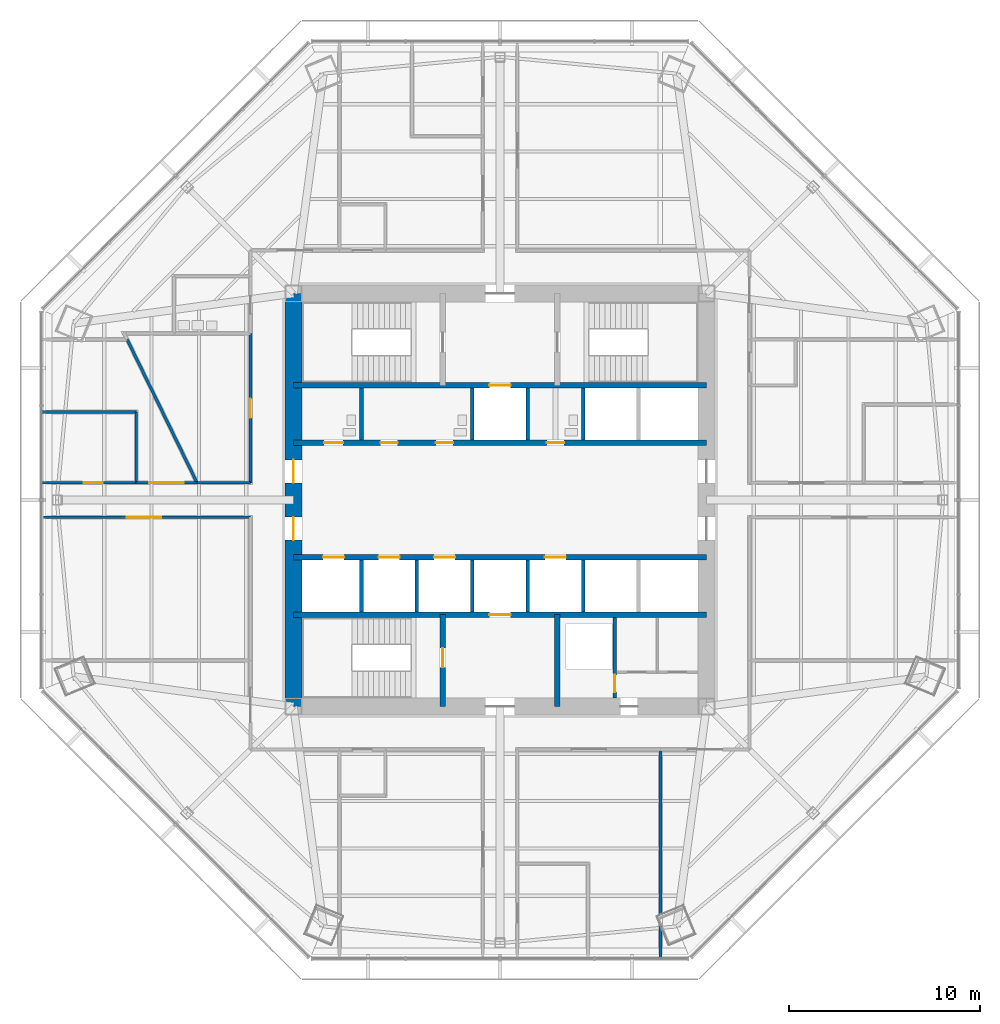
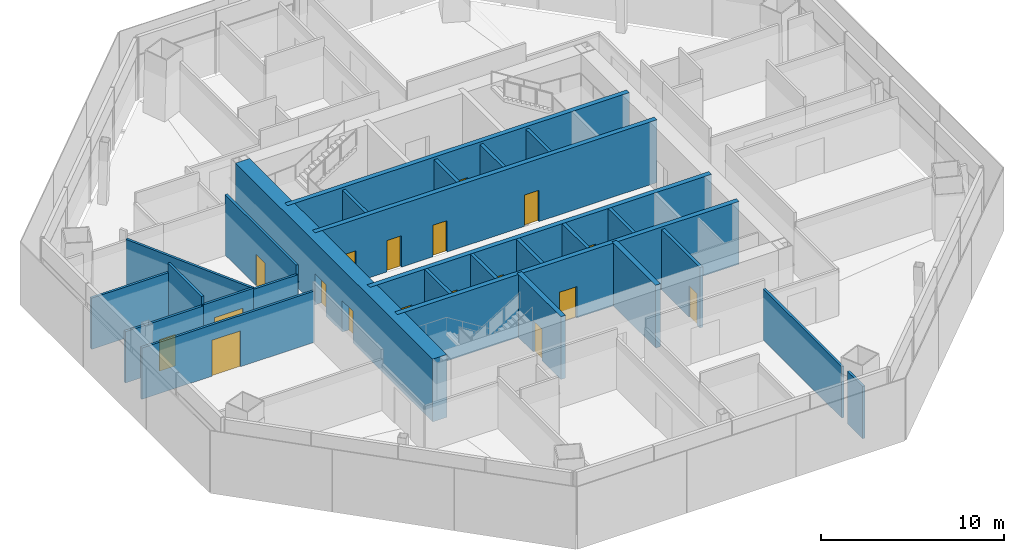
# One storey, part 9 of 14: 27 walls, 18 doors, 18 openings.
"""IFC4 building model written with IfcOpenShell, lengths in metres."""

from ifc_helpers import new_model, si_unit, direction, frame, frame_2d, origin, place, context, subcontext, project, spatial, rectangle, extrude, material, layer, layer_set, type_object, element, fill, save


model = new_model("IFC4")

# Units and contexts
model_context = context("Model", 3, precision=1e-05, world=origin(), true_north=direction((0.0, 1.0)))
body_context = subcontext(model_context, "Body", "Model", "MODEL_VIEW")
ifc_project = project(units=[si_unit("LENGTHUNIT", "METRE"), si_unit("AREAUNIT", "SQUARE_METRE"), si_unit("VOLUMEUNIT", "CUBIC_METRE"), si_unit("PLANEANGLEUNIT", "RADIAN"), si_unit("MASSUNIT", "GRAM", prefix="KILO")], contexts=[model_context])

# Site, building, storey
site_placement = place(None, origin())
site = spatial("IfcSite", under=ifc_project, at=site_placement, CompositionType="ELEMENT")
building_placement = place(site_placement, origin())
building = spatial("IfcBuilding", under=site, at=building_placement, Name="Mashrafa Tower", CompositionType="ELEMENT")
storey_placement = place(building_placement, frame((0.0, 0.0, 142.800048828125)))
storey = spatial("IfcBuildingStorey", under=building, at=storey_placement, Name="L32", CompositionType="ELEMENT", Elevation=142.800048828125)

# Wall, opening, door
ifc_material_1 = material(Name="Concrete masonry unit", Category="masonry")
ifc_layer_1 = layer(ifc_material_1, 0.199951171875)
ifc_layer_set_1 = layer_set([ifc_layer_1], Name="Blockwork wall 200 2 hr")
wall_type_1 = type_object("IfcWallType", Name="Blockwork wall 200 2 hr", PredefinedType="PARTITIONING", material=ifc_layer_set_1)
wall_1_placement = place(storey_placement, frame((6.0, -10.35009765625, 0.0), z_axis=(0.0, 0.0, 1.0), x_axis=(0.0, 1.0, 0.0)))
wall_1 = element("IfcWall", 1, at=wall_1_placement, inside=storey, type_object=wall_type_1, Name="Riser enclosure wall L32", PredefinedType="PARTITIONING", context=body_context, shape_type="SweptSolid", body=[
    extrude(rectangle(XDim=4.2001953125, YDim=0.199951171875, at=frame_2d((2.10009765625, 0.0))), origin(), (0.0, 0.0, 1.0), 4.034912109375),
])
opening_1_placement = place(wall_1_placement, frame((0.300048828125, 0.0, 0.0)))
opening_1 = element("IfcOpeningElement", 2, at=opening_1_placement, cuts=wall_1, Name="Opening 32.032", PredefinedType="OPENING", context=body_context, shape_type="SweptSolid", body=[
    extrude(rectangle(XDim=0.89990234375, YDim=2.10009765625, at=frame_2d((0.449951171875, 1.050048828125))), frame((0.0, 0.10986328125, 0.0), z_axis=(0.0, -1.0, 0.0), x_axis=(1.0, 0.0, 0.0)), (0.0, 0.0, 1.0), 0.219970703125),
])
ifc_material_2 = material(Name="Steel door", Category="steel")
door_type_1 = type_object("IfcDoorType", Name="Service door 900 x 2100 90 min", OperationType="USERDEFINED", PredefinedType="DOOR", material=ifc_material_2)
door_1_placement = place(opening_1_placement, origin())
door_1 = element("IfcDoor", 3, at=door_1_placement, inside=storey, type_object=door_type_1, Name="Riser door L32", OperationType="SINGLE_SWING_LEFT", OverallHeight=2.10009765625, OverallWidth=0.89990234375, PredefinedType="DOOR", context=body_context, shape_type="SweptSolid", body=[
    extrude(rectangle(XDim=0.89990234375, YDim=2.10009765625, at=frame_2d((0.449951171875, 1.050048828125))), frame((0.0, 0.02490234375, 0.0), z_axis=(0.0, -1.0, 0.0), x_axis=(1.0, 0.0, 0.0)), (0.0, 0.0, 1.0), 0.050048828125),
])
fill(opening_1, door_1)

# Wall, openings, doors
ifc_material_3 = material(Name="Concrete C60/75", Category="concrete")
ifc_layer_2 = layer(ifc_material_3, 0.300048828125)
ifc_layer_set_2 = layer_set([ifc_layer_2], Name="Core wall 300 C60/75")
wall_type_2 = type_object("IfcWallType", Name="Core wall 300 C60/75", PredefinedType="SOLIDWALL", material=ifc_layer_set_2)
wall_2_placement = place(storey_placement, frame((-10.800048828125, 3.0, 0.0), z_axis=(0.0, 0.0, 1.0), x_axis=(1.0, 0.0, 0.0)))
wall_2 = element("IfcWall", 4, at=wall_2_placement, inside=storey, type_object=wall_type_2, Name="Core wall CH-N L32", PredefinedType="SOLIDWALL", context=body_context, shape_type="SweptSolid", body=[
    extrude(rectangle(XDim=21.60009765625, YDim=0.300048828125, at=frame_2d((10.800048828125, 0.0))), origin(), (0.0, 0.0, 1.0), 4.199951171875),
])
opening_2_placement = place(wall_2_placement, frame((1.60009765625, 0.0, 0.0)))
opening_2 = element("IfcOpeningElement", 5, at=opening_2_placement, cuts=wall_2, Name="Opening 32.035", PredefinedType="OPENING", context=body_context, shape_type="SweptSolid", body=[
    extrude(rectangle(XDim=1.0, YDim=2.10009765625, at=frame_2d((0.5, 1.050048828125))), frame((0.0, 0.159912109375, 0.0), z_axis=(0.0, -1.0, 0.0), x_axis=(1.0, 0.0, 0.0)), (0.0, 0.0, 1.0), 0.320068359375),
])
opening_3_placement = place(wall_2_placement, frame((4.550048828125, 0.0, 0.0)))
opening_3 = element("IfcOpeningElement", 6, at=opening_3_placement, cuts=wall_2, Name="Opening 32.036", PredefinedType="OPENING", context=body_context, shape_type="SweptSolid", body=[
    extrude(rectangle(XDim=0.89990234375, YDim=2.10009765625, at=frame_2d((0.449951171875, 1.050048828125))), frame((0.0, 0.159912109375, 0.0), z_axis=(0.0, -1.0, 0.0), x_axis=(1.0, 0.0, 0.0)), (0.0, 0.0, 1.0), 0.320068359375),
])
opening_4_placement = place(wall_2_placement, frame((7.449951171875, 0.0, 0.0)))
opening_4 = element("IfcOpeningElement", 7, at=opening_4_placement, cuts=wall_2, Name="Opening 32.037", PredefinedType="OPENING", context=body_context, shape_type="SweptSolid", body=[
    extrude(rectangle(XDim=0.89990234375, YDim=2.10009765625, at=frame_2d((0.449951171875, 1.050048828125))), frame((0.0, 0.159912109375, 0.0), z_axis=(0.0, -1.0, 0.0), x_axis=(1.0, 0.0, 0.0)), (0.0, 0.0, 1.0), 0.320068359375),
])
opening_5_placement = place(wall_2_placement, frame((13.25, 0.0, 0.0)))
opening_5 = element("IfcOpeningElement", 8, at=opening_5_placement, cuts=wall_2, Name="Opening 32.038", PredefinedType="OPENING", context=body_context, shape_type="SweptSolid", body=[
    extrude(rectangle(XDim=0.89990234375, YDim=2.10009765625, at=frame_2d((0.449951171875, 1.050048828125))), frame((0.0, 0.159912109375, 0.0), z_axis=(0.0, -1.0, 0.0), x_axis=(1.0, 0.0, 0.0)), (0.0, 0.0, 1.0), 0.320068359375),
])
ifc_material_4 = material(Name="Timber door", Category="wood")
door_type_2 = type_object("IfcDoorType", Name="Accessible toilet door 1000 x 2100", OperationType="USERDEFINED", PredefinedType="DOOR", material=ifc_material_4)
door_2_placement = place(opening_2_placement, origin())
door_2 = element("IfcDoor", 9, at=door_2_placement, inside=storey, type_object=door_type_2, Name="Accessible WC L32 door", OperationType="SINGLE_SWING_RIGHT", OverallHeight=2.10009765625, OverallWidth=1.0, PredefinedType="DOOR", context=body_context, shape_type="SweptSolid", body=[
    extrude(rectangle(XDim=1.0, YDim=2.10009765625, at=frame_2d((0.5, 1.050048828125))), frame((0.0, 0.02490234375, 0.0), z_axis=(0.0, -1.0, 0.0), x_axis=(1.0, 0.0, 0.0)), (0.0, 0.0, 1.0), 0.050048828125),
])
fill(opening_2, door_2)
ifc_material_5 = material(Name="Timber door", Category="wood")
door_type_3 = type_object("IfcDoorType", Name="Toilet door 900 x 2100", OperationType="USERDEFINED", PredefinedType="DOOR", material=ifc_material_5)
door_3_placement = place(opening_3_placement, origin())
door_3 = element("IfcDoor", 10, at=door_3_placement, inside=storey, type_object=door_type_3, Name="WC Male L32 door", OperationType="SINGLE_SWING_LEFT", OverallHeight=2.10009765625, OverallWidth=0.89990234375, PredefinedType="DOOR", context=body_context, shape_type="SweptSolid", body=[
    extrude(rectangle(XDim=0.89990234375, YDim=2.10009765625, at=frame_2d((0.449951171875, 1.050048828125))), frame((0.0, 0.02490234375, 0.0), z_axis=(0.0, -1.0, 0.0), x_axis=(1.0, 0.0, 0.0)), (0.0, 0.0, 1.0), 0.050048828125),
])
fill(opening_3, door_3)
door_4_placement = place(opening_4_placement, origin())
door_4 = element("IfcDoor", 11, at=door_4_placement, inside=storey, type_object=door_type_3, Name="WC Male L32 door", OperationType="SINGLE_SWING_RIGHT", OverallHeight=2.10009765625, OverallWidth=0.89990234375, PredefinedType="DOOR", context=body_context, shape_type="SweptSolid", body=[
    extrude(rectangle(XDim=0.89990234375, YDim=2.10009765625, at=frame_2d((0.449951171875, 1.050048828125))), frame((0.0, 0.02490234375, 0.0), z_axis=(0.0, -1.0, 0.0), x_axis=(1.0, 0.0, 0.0)), (0.0, 0.0, 1.0), 0.050048828125),
])
fill(opening_4, door_4)
door_5_placement = place(opening_5_placement, origin())
door_5 = element("IfcDoor", 12, at=door_5_placement, inside=storey, type_object=door_type_3, Name="WC Female L32 door", OperationType="SINGLE_SWING_LEFT", OverallHeight=2.10009765625, OverallWidth=0.89990234375, PredefinedType="DOOR", context=body_context, shape_type="SweptSolid", body=[
    extrude(rectangle(XDim=0.89990234375, YDim=2.10009765625, at=frame_2d((0.449951171875, 1.050048828125))), frame((0.0, 0.02490234375, 0.0), z_axis=(0.0, -1.0, 0.0), x_axis=(1.0, 0.0, 0.0)), (0.0, 0.0, 1.0), 0.050048828125),
])
fill(opening_5, door_5)

# Wall, opening, door
wall_3_placement = place(storey_placement, frame((-10.800048828125, 6.0, 0.0), z_axis=(0.0, 0.0, 1.0), x_axis=(1.0, 0.0, 0.0)))
wall_3 = element("IfcWall", 13, at=wall_3_placement, inside=storey, type_object=wall_type_2, Name="Core wall CB-N L32", PredefinedType="SOLIDWALL", context=body_context, shape_type="SweptSolid", body=[
    extrude(rectangle(XDim=21.60009765625, YDim=0.300048828125, at=frame_2d((10.800048828125, 0.0))), origin(), (0.0, 0.0, 1.0), 4.199951171875),
])
opening_6_placement = place(wall_3_placement, frame((10.25, 0.0, 0.0)))
opening_6 = element("IfcOpeningElement", 14, at=opening_6_placement, cuts=wall_3, Name="Opening 32.F1", PredefinedType="OPENING", context=body_context, shape_type="SweptSolid", body=[
    extrude(rectangle(XDim=1.10009765625, YDim=2.10009765625, at=frame_2d((0.550048828125, 1.050048828125))), frame((0.0, 0.159912109375, 0.0), z_axis=(0.0, -1.0, 0.0), x_axis=(1.0, 0.0, 0.0)), (0.0, 0.0, 1.0), 0.320068359375),
])
ifc_material_6 = material(Name="Steel door", Category="steel")
door_type_4 = type_object("IfcDoorType", Name="Lift landing door 1100 x 2100 90 min", OperationType="DOUBLE_DOOR_SLIDING", PredefinedType="DOOR", material=ifc_material_6)
door_6_placement = place(opening_6_placement, origin())
door_6 = element("IfcDoor", 15, at=door_6_placement, inside=storey, type_object=door_type_4, Name="Lift landing door F1 L32", OperationType="DOUBLE_DOOR_SLIDING", OverallHeight=2.10009765625, OverallWidth=1.10009765625, PredefinedType="DOOR", context=body_context, shape_type="SweptSolid", body=[
    extrude(rectangle(XDim=1.10009765625, YDim=2.10009765625, at=frame_2d((0.550048828125, 1.050048828125))), frame((0.0, 0.02490234375, 0.0), z_axis=(0.0, -1.0, 0.0), x_axis=(1.0, 0.0, 0.0)), (0.0, 0.0, 1.0), 0.050048828125),
])
fill(opening_6, door_6)

# Wall, openings, doors
wall_4_placement = place(storey_placement, frame((-10.800048828125, -3.0, 0.0), z_axis=(0.0, 0.0, 1.0), x_axis=(1.0, 0.0, 0.0)))
wall_4 = element("IfcWall", 16, at=wall_4_placement, inside=storey, type_object=wall_type_2, Name="Core wall CH-S L32", PredefinedType="SOLIDWALL", context=body_context, shape_type="SweptSolid", body=[
    extrude(rectangle(XDim=21.60009765625, YDim=0.300048828125, at=frame_2d((10.800048828125, 0.0))), origin(), (0.0, 0.0, 1.0), 4.199951171875),
])
opening_7_placement = place(wall_4_placement, frame((1.550048828125, 0.0, 0.0)))
opening_7 = element("IfcOpeningElement", 17, at=opening_7_placement, cuts=wall_4, Name="Opening 32.B1", PredefinedType="OPENING", context=body_context, shape_type="SweptSolid", body=[
    extrude(rectangle(XDim=1.10009765625, YDim=2.10009765625, at=frame_2d((0.550048828125, 1.050048828125))), frame((0.0, 0.159912109375, 0.0), z_axis=(0.0, -1.0, 0.0), x_axis=(1.0, 0.0, 0.0)), (0.0, 0.0, 1.0), 0.320068359375),
])
opening_8_placement = place(wall_4_placement, frame((4.449951171875, 0.0, 0.0)))
opening_8 = element("IfcOpeningElement", 18, at=opening_8_placement, cuts=wall_4, Name="Opening 32.B2", PredefinedType="OPENING", context=body_context, shape_type="SweptSolid", body=[
    extrude(rectangle(XDim=1.10009765625, YDim=2.10009765625, at=frame_2d((0.550048828125, 1.050048828125))), frame((0.0, 0.159912109375, 0.0), z_axis=(0.0, -1.0, 0.0), x_axis=(1.0, 0.0, 0.0)), (0.0, 0.0, 1.0), 0.320068359375),
])
opening_9_placement = place(wall_4_placement, frame((7.35009765625, 0.0, 0.0)))
opening_9 = element("IfcOpeningElement", 19, at=opening_9_placement, cuts=wall_4, Name="Opening 32.B3", PredefinedType="OPENING", context=body_context, shape_type="SweptSolid", body=[
    extrude(rectangle(XDim=1.10009765625, YDim=2.10009765625, at=frame_2d((0.550048828125, 1.050048828125))), frame((0.0, 0.159912109375, 0.0), z_axis=(0.0, -1.0, 0.0), x_axis=(1.0, 0.0, 0.0)), (0.0, 0.0, 1.0), 0.320068359375),
])
opening_10_placement = place(wall_4_placement, frame((13.14990234375, 0.0, 0.0)))
opening_10 = element("IfcOpeningElement", 20, at=opening_10_placement, cuts=wall_4, Name="Opening 32.B4", PredefinedType="OPENING", context=body_context, shape_type="SweptSolid", body=[
    extrude(rectangle(XDim=1.10009765625, YDim=2.10009765625, at=frame_2d((0.550048828125, 1.050048828125))), frame((0.0, 0.159912109375, 0.0), z_axis=(0.0, -1.0, 0.0), x_axis=(1.0, 0.0, 0.0)), (0.0, 0.0, 1.0), 0.320068359375),
])
door_7_placement = place(opening_7_placement, origin())
door_7 = element("IfcDoor", 21, at=door_7_placement, inside=storey, type_object=door_type_4, Name="Lift landing door B1 L32", OperationType="DOUBLE_DOOR_SLIDING", OverallHeight=2.10009765625, OverallWidth=1.10009765625, PredefinedType="DOOR", context=body_context, shape_type="SweptSolid", body=[
    extrude(rectangle(XDim=1.10009765625, YDim=2.10009765625, at=frame_2d((0.550048828125, 1.050048828125))), frame((0.0, 0.02490234375, 0.0), z_axis=(0.0, -1.0, 0.0), x_axis=(1.0, 0.0, 0.0)), (0.0, 0.0, 1.0), 0.050048828125),
])
fill(opening_7, door_7)
door_8_placement = place(opening_8_placement, origin())
door_8 = element("IfcDoor", 22, at=door_8_placement, inside=storey, type_object=door_type_4, Name="Lift landing door B2 L32", OperationType="DOUBLE_DOOR_SLIDING", OverallHeight=2.10009765625, OverallWidth=1.10009765625, PredefinedType="DOOR", context=body_context, shape_type="SweptSolid", body=[
    extrude(rectangle(XDim=1.10009765625, YDim=2.10009765625, at=frame_2d((0.550048828125, 1.050048828125))), frame((0.0, 0.02490234375, 0.0), z_axis=(0.0, -1.0, 0.0), x_axis=(1.0, 0.0, 0.0)), (0.0, 0.0, 1.0), 0.050048828125),
])
fill(opening_8, door_8)
door_9_placement = place(opening_9_placement, origin())
door_9 = element("IfcDoor", 23, at=door_9_placement, inside=storey, type_object=door_type_4, Name="Lift landing door B3 L32", OperationType="DOUBLE_DOOR_SLIDING", OverallHeight=2.10009765625, OverallWidth=1.10009765625, PredefinedType="DOOR", context=body_context, shape_type="SweptSolid", body=[
    extrude(rectangle(XDim=1.10009765625, YDim=2.10009765625, at=frame_2d((0.550048828125, 1.050048828125))), frame((0.0, 0.02490234375, 0.0), z_axis=(0.0, -1.0, 0.0), x_axis=(1.0, 0.0, 0.0)), (0.0, 0.0, 1.0), 0.050048828125),
])
fill(opening_9, door_9)
door_10_placement = place(opening_10_placement, origin())
door_10 = element("IfcDoor", 24, at=door_10_placement, inside=storey, type_object=door_type_4, Name="Lift landing door B4 L32", OperationType="DOUBLE_DOOR_SLIDING", OverallHeight=2.10009765625, OverallWidth=1.10009765625, PredefinedType="DOOR", context=body_context, shape_type="SweptSolid", body=[
    extrude(rectangle(XDim=1.10009765625, YDim=2.10009765625, at=frame_2d((0.550048828125, 1.050048828125))), frame((0.0, 0.02490234375, 0.0), z_axis=(0.0, -1.0, 0.0), x_axis=(1.0, 0.0, 0.0)), (0.0, 0.0, 1.0), 0.050048828125),
])
fill(opening_10, door_10)

# Wall, opening, door
wall_5_placement = place(storey_placement, frame((-10.800048828125, -6.0, 0.0), z_axis=(0.0, 0.0, 1.0), x_axis=(1.0, 0.0, 0.0)))
wall_5 = element("IfcWall", 25, at=wall_5_placement, inside=storey, type_object=wall_type_2, Name="Core wall CB-S L32", PredefinedType="SOLIDWALL", context=body_context, shape_type="SweptSolid", body=[
    extrude(rectangle(XDim=21.60009765625, YDim=0.300048828125, at=frame_2d((10.800048828125, 0.0))), origin(), (0.0, 0.0, 1.0), 4.199951171875),
])
opening_11_placement = place(wall_5_placement, frame((10.25, 0.0, 0.0)))
opening_11 = element("IfcOpeningElement", 26, at=opening_11_placement, cuts=wall_5, Name="Opening 32.F2", PredefinedType="OPENING", context=body_context, shape_type="SweptSolid", body=[
    extrude(rectangle(XDim=1.10009765625, YDim=2.10009765625, at=frame_2d((0.550048828125, 1.050048828125))), frame((0.0, 0.159912109375, 0.0), z_axis=(0.0, -1.0, 0.0), x_axis=(1.0, 0.0, 0.0)), (0.0, 0.0, 1.0), 0.320068359375),
])
door_11_placement = place(opening_11_placement, origin())
door_11 = element("IfcDoor", 27, at=door_11_placement, inside=storey, type_object=door_type_4, Name="Lift landing door F2 L32", OperationType="DOUBLE_DOOR_SLIDING", OverallHeight=2.10009765625, OverallWidth=1.10009765625, PredefinedType="DOOR", context=body_context, shape_type="SweptSolid", body=[
    extrude(rectangle(XDim=1.10009765625, YDim=2.10009765625, at=frame_2d((0.550048828125, 1.050048828125))), frame((0.0, 0.02490234375, 0.0), z_axis=(0.0, -1.0, 0.0), x_axis=(1.0, 0.0, 0.0)), (0.0, 0.0, 1.0), 0.050048828125),
])
fill(opening_11, door_11)

wall_6_placement = place(storey_placement, frame((-3.0, -6.0, 0.0), z_axis=(0.0, 0.0, 1.0), x_axis=(0.0, -1.0, 0.0)))
wall_6 = element("IfcWall", 28, at=wall_6_placement, inside=storey, type_object=wall_type_2, Name="Core wall CX-SW L32", PredefinedType="SOLIDWALL", context=body_context, shape_type="SweptSolid", body=[
    extrude(rectangle(XDim=4.800048828125, YDim=0.300048828125, at=frame_2d((2.39990234375, 0.0))), origin(), (0.0, 0.0, 1.0), 4.199951171875),
])
opening_12_placement = place(wall_6_placement, frame((1.75, 0.0, 0.0)))
opening_12 = element("IfcOpeningElement", 29, at=opening_12_placement, cuts=wall_6, Name="Opening 32.030", PredefinedType="OPENING", context=body_context, shape_type="SweptSolid", body=[
    extrude(rectangle(XDim=1.0, YDim=2.10009765625, at=frame_2d((0.5, 1.050048828125))), frame((0.0, 0.159912109375, 0.0), z_axis=(0.0, -1.0, 0.0), x_axis=(1.0, 0.0, 0.0)), (0.0, 0.0, 1.0), 0.320068359375),
])
ifc_material_7 = material(Name="Steel door", Category="steel")
door_type_5 = type_object("IfcDoorType", Name="Stair door 1000 x 2100 90 min", OperationType="USERDEFINED", PredefinedType="DOOR", material=ifc_material_7)
door_12_placement = place(opening_12_placement, frame((1.0, 0.0, 0.0), z_axis=(0.0, 0.0, 1.0), x_axis=(-1.0, 0.0, 0.0)))
door_12 = element("IfcDoor", 30, at=door_12_placement, inside=storey, type_object=door_type_5, Name="Stair S3 door L32", OperationType="SINGLE_SWING_RIGHT", OverallHeight=2.10009765625, OverallWidth=1.0, PredefinedType="DOOR", context=body_context, shape_type="SweptSolid", body=[
    extrude(rectangle(XDim=1.0, YDim=2.10009765625, at=frame_2d((0.5, 1.050048828125))), frame((0.0, 0.02490234375, 0.0), z_axis=(0.0, -1.0, 0.0), x_axis=(1.0, 0.0, 0.0)), (0.0, 0.0, 1.0), 0.050048828125),
])
fill(opening_12, door_12)

# Wall
wall_7_placement = place(storey_placement, frame((3.0, -6.0, 0.0), z_axis=(0.0, 0.0, 1.0), x_axis=(0.0, -1.0, 0.0)))
element("IfcWall", 31, at=wall_7_placement, inside=storey, type_object=wall_type_2, Name="Core wall CX-SE L32", PredefinedType="SOLIDWALL", context=body_context, shape_type="SweptSolid", body=[
    extrude(rectangle(XDim=4.800048828125, YDim=0.300048828125, at=frame_2d((2.39990234375, 0.0))), origin(), (0.0, 0.0, 1.0), 4.199951171875),
])

# Wall, openings, doors
ifc_material_8 = material(Name="Concrete C60/75", Category="concrete")
ifc_layer_3 = layer(ifc_material_8, 0.89990234375)
ifc_layer_set_3 = layer_set([ifc_layer_3], Name="Core wall 900 C60/75")
wall_type_3 = type_object("IfcWallType", Name="Core wall 900 C60/75", PredefinedType="SOLIDWALL", material=ifc_layer_set_3)
wall_8_placement = place(storey_placement, frame((-10.800048828125, 10.800048828125, 0.0), z_axis=(0.0, 0.0, 1.0), x_axis=(0.0, -1.0, 0.0)))
wall_8 = element("IfcWall", 32, at=wall_8_placement, inside=storey, type_object=wall_type_3, Name="Core wall CW-W L32", PredefinedType="SOLIDWALL", context=body_context, shape_type="SweptSolid", body=[
    extrude(rectangle(XDim=21.60009765625, YDim=0.89990234375, at=frame_2d((10.800048828125, 0.0))), origin(), (0.0, 0.0, 1.0), 4.199951171875),
])
opening_13_placement = place(wall_8_placement, frame((8.699951171875, 0.0, 0.0)))
opening_13 = element("IfcOpeningElement", 33, at=opening_13_placement, cuts=wall_8, Name="Opening 32.023", PredefinedType="OPENING", context=body_context, shape_type="SweptSolid", body=[
    extrude(rectangle(XDim=1.199951171875, YDim=2.10009765625, at=frame_2d((0.60009765625, 1.050048828125))), frame((0.0, 0.4599609375, 0.0), z_axis=(0.0, -1.0, 0.0), x_axis=(1.0, 0.0, 0.0)), (0.0, 0.0, 1.0), 0.919921875),
])
opening_14_placement = place(wall_8_placement, frame((11.699951171875, 0.0, 0.0)))
opening_14 = element("IfcOpeningElement", 34, at=opening_14_placement, cuts=wall_8, Name="Opening 32.025", PredefinedType="OPENING", context=body_context, shape_type="SweptSolid", body=[
    extrude(rectangle(XDim=1.199951171875, YDim=2.10009765625, at=frame_2d((0.60009765625, 1.050048828125))), frame((0.0, 0.4599609375, 0.0), z_axis=(0.0, -1.0, 0.0), x_axis=(1.0, 0.0, 0.0)), (0.0, 0.0, 1.0), 0.919921875),
])
ifc_material_9 = material(Name="Steel door", Category="steel")
door_type_6 = type_object("IfcDoorType", Name="Lift hall door 1200 x 2100 90 min", OperationType="USERDEFINED", PredefinedType="DOOR", material=ifc_material_9)
door_13_placement = place(opening_13_placement, frame((1.199951171875, 0.0, 0.0), z_axis=(0.0, 0.0, 1.0), x_axis=(-1.0, 0.0, 0.0)))
door_13 = element("IfcDoor", 35, at=door_13_placement, inside=storey, type_object=door_type_6, Name="Lift hall door west L32", OperationType="SINGLE_SWING_RIGHT", OverallHeight=2.10009765625, OverallWidth=1.199951171875, PredefinedType="DOOR", context=body_context, shape_type="SweptSolid", body=[
    extrude(rectangle(XDim=1.199951171875, YDim=2.10009765625, at=frame_2d((0.60009765625, 1.050048828125))), frame((0.0, 0.02490234375, 0.0), z_axis=(0.0, -1.0, 0.0), x_axis=(1.0, 0.0, 0.0)), (0.0, 0.0, 1.0), 0.050048828125),
])
fill(opening_13, door_13)
door_14_placement = place(opening_14_placement, frame((1.199951171875, 0.0, 0.0), z_axis=(0.0, 0.0, 1.0), x_axis=(-1.0, 0.0, 0.0)))
door_14 = element("IfcDoor", 36, at=door_14_placement, inside=storey, type_object=door_type_6, Name="Lift hall door west L32", OperationType="SINGLE_SWING_LEFT", OverallHeight=2.10009765625, OverallWidth=1.199951171875, PredefinedType="DOOR", context=body_context, shape_type="SweptSolid", body=[
    extrude(rectangle(XDim=1.199951171875, YDim=2.10009765625, at=frame_2d((0.60009765625, 1.050048828125))), frame((0.0, 0.02490234375, 0.0), z_axis=(0.0, -1.0, 0.0), x_axis=(1.0, 0.0, 0.0)), (0.0, 0.0, 1.0), 0.050048828125),
])
fill(opening_14, door_14)

# Wall, opening, door
ifc_material_10 = material(Name="Gypsum board on steel studs", Category="steel")
ifc_layer_4 = layer(ifc_material_10, 0.14990234375)
ifc_layer_set_4 = layer_set([ifc_layer_4], Name="Corridor partition 150 1 hr")
wall_type_4 = type_object("IfcWallType", Name="Corridor partition 150 1 hr", PredefinedType="PARTITIONING", material=ifc_layer_set_4)
wall_9_placement = place(storey_placement, frame((-13.050048828125, 8.700927734375, 0.0), z_axis=(0.0, 0.0, 1.0), x_axis=(0.0, -1.0, 0.0)))
wall_9 = element("IfcWall", 37, at=wall_9_placement, inside=storey, type_object=wall_type_4, Name="Corridor wall L32-001", PredefinedType="PARTITIONING", context=body_context, shape_type="SweptSolid", body=[
    extrude(rectangle(XDim=7.801025390625, YDim=0.14990234375, at=frame_2d((3.900390625, 0.0))), origin(), (0.0, 0.0, 1.0), 4.034912109375),
])
opening_15_placement = place(wall_9_placement, frame((3.400390625, 0.0, 0.0)))
opening_15 = element("IfcOpeningElement", 38, at=opening_15_placement, cuts=wall_9, Name="Opening 32.001", PredefinedType="OPENING", context=body_context, shape_type="SweptSolid", body=[
    extrude(rectangle(XDim=1.0, YDim=2.10009765625, at=frame_2d((0.5, 1.050048828125))), frame((0.0, 0.0849609375, 0.0), z_axis=(0.0, -1.0, 0.0), x_axis=(1.0, 0.0, 0.0)), (0.0, 0.0, 1.0), 0.169921875),
])
ifc_material_11 = material(Name="Timber door", Category="wood")
door_type_7 = type_object("IfcDoorType", Name="Door 1000 x 2100", OperationType="USERDEFINED", PredefinedType="DOOR", material=ifc_material_11)
door_15_placement = place(opening_15_placement, frame((1.0, 0.0, 0.0), z_axis=(0.0, 0.0, 1.0), x_axis=(-1.0, 0.0, 0.0)))
door_15 = element("IfcDoor", 39, at=door_15_placement, inside=storey, type_object=door_type_7, Name="Musallah Prayer Room 32 door", OperationType="SINGLE_SWING_LEFT", OverallHeight=2.10009765625, OverallWidth=1.0, PredefinedType="DOOR", context=body_context, shape_type="SweptSolid", body=[
    extrude(rectangle(XDim=1.0, YDim=2.10009765625, at=frame_2d((0.5, 1.050048828125))), frame((0.0, 0.02490234375, 0.0), z_axis=(0.0, -1.0, 0.0), x_axis=(1.0, 0.0, 0.0)), (0.0, 0.0, 1.0), 0.050048828125),
])
fill(opening_15, door_15)

# Wall
wall_10_placement = place(storey_placement, frame((-13.050048828125, 0.89990234375, 0.0), z_axis=(0.0, 0.0, 1.0), x_axis=(-1.0, 0.0, 0.0)))
element("IfcWall", 40, at=wall_10_placement, inside=storey, type_object=wall_type_4, Name="Corridor wall L32-002", PredefinedType="PARTITIONING", context=body_context, shape_type="SweptSolid", body=[
    extrude(rectangle(XDim=2.796630859375, YDim=0.14990234375, at=frame_2d((1.3984375, 0.0))), origin(), (0.0, 0.0, 1.0), 3.425537109375),
])

# Wall, opening, door
wall_11_placement = place(storey_placement, frame((-19.024169921875, 0.89990234375, 0.0), z_axis=(0.0, 0.0, 1.0), x_axis=(-1.0, 0.0, 0.0)))
wall_11 = element("IfcWall", 41, at=wall_11_placement, inside=storey, type_object=wall_type_4, Name="Corridor wall L32-007", PredefinedType="PARTITIONING", context=body_context, shape_type="SweptSolid", body=[
    extrude(rectangle(XDim=4.934814453125, YDim=0.14990234375, at=frame_2d((2.46728515625, 0.0))), origin(), (0.0, 0.0, 1.0), 3.425537109375),
])
opening_16_placement = place(wall_11_placement, frame((1.75048828125, 0.0, 0.0)))
opening_16 = element("IfcOpeningElement", 42, at=opening_16_placement, cuts=wall_11, Name="Opening 32.006", PredefinedType="OPENING", context=body_context, shape_type="SweptSolid", body=[
    extrude(rectangle(XDim=1.0, YDim=2.10009765625, at=frame_2d((0.5, 1.050048828125))), frame((0.0, 0.0849609375, 0.0), z_axis=(0.0, -1.0, 0.0), x_axis=(1.0, 0.0, 0.0)), (0.0, 0.0, 1.0), 0.169921875),
])
door_16_placement = place(opening_16_placement, frame((1.0, 0.0, 0.0), z_axis=(0.0, 0.0, 1.0), x_axis=(-1.0, 0.0, 0.0)))
door_16 = element("IfcDoor", 43, at=door_16_placement, inside=storey, type_object=door_type_7, Name="Meeting Room 32-W door", OperationType="SINGLE_SWING_RIGHT", OverallHeight=2.10009765625, OverallWidth=1.0, PredefinedType="DOOR", context=body_context, shape_type="SweptSolid", body=[
    extrude(rectangle(XDim=1.0, YDim=2.10009765625, at=frame_2d((0.5, 1.050048828125))), frame((0.0, 0.02490234375, 0.0), z_axis=(0.0, -1.0, 0.0), x_axis=(1.0, 0.0, 0.0)), (0.0, 0.0, 1.0), 0.050048828125),
])
fill(opening_16, door_16)

wall_12_placement = place(storey_placement, frame((-15.844482421875, 0.89990234375, 0.0), z_axis=(0.0, 0.0, 1.0), x_axis=(-1.0, 0.0, 0.0)))
wall_12 = element("IfcWall", 44, at=wall_12_placement, inside=storey, type_object=wall_type_4, Name="Corridor wall L32-019", PredefinedType="PARTITIONING", context=body_context, shape_type="SweptSolid", body=[
    extrude(rectangle(XDim=3.181640625, YDim=0.14990234375, at=frame_2d((1.5908203125, 0.0))), origin(), (0.0, 0.0, 1.0), 3.499267578125),
])
opening_17_placement = place(wall_12_placement, frame((0.69091796875, 0.0, 0.0)))
opening_17 = element("IfcOpeningElement", 45, at=opening_17_placement, cuts=wall_12, Name="Opening 32.014", PredefinedType="OPENING", context=body_context, shape_type="SweptSolid", body=[
    extrude(rectangle(XDim=1.800048828125, YDim=2.39990234375, at=frame_2d((0.89990234375, 1.199951171875))), frame((0.0, 0.0849609375, 0.0), z_axis=(0.0, -1.0, 0.0), x_axis=(1.0, 0.0, 0.0)), (0.0, 0.0, 1.0), 0.169921875),
])
ifc_material_12 = material(Name="Timber door", Category="wood")
door_type_8 = type_object("IfcDoorType", Name="Door pair 1800 x 2400", OperationType="DOUBLE_DOOR_SINGLE_SWING", PredefinedType="DOOR", material=ifc_material_12)
door_17_placement = place(opening_17_placement, frame((1.800048828125, 0.0, 0.0), z_axis=(0.0, 0.0, 1.0), x_axis=(-1.0, 0.0, 0.0)))
door_17 = element("IfcDoor", 46, at=door_17_placement, inside=storey, type_object=door_type_8, Name="Office Suite 32-NW21 door", OperationType="DOUBLE_DOOR_SINGLE_SWING", OverallHeight=2.39990234375, OverallWidth=1.800048828125, PredefinedType="DOOR", context=body_context, shape_type="SweptSolid", body=[
    extrude(rectangle(XDim=1.800048828125, YDim=2.39990234375, at=frame_2d((0.89990234375, 1.199951171875))), frame((0.0, 0.02490234375, 0.0), z_axis=(0.0, -1.0, 0.0), x_axis=(1.0, 0.0, 0.0)), (0.0, 0.0, 1.0), 0.050048828125),
])
fill(opening_17, door_17)

wall_13_placement = place(storey_placement, frame((-23.958984375, -0.89990234375, 0.0), z_axis=(0.0, 0.0, 1.0), x_axis=(1.0, 0.0, 0.0)))
wall_13 = element("IfcWall", 47, at=wall_13_placement, inside=storey, type_object=wall_type_4, Name="Corridor wall L32-024", PredefinedType="PARTITIONING", context=body_context, shape_type="SweptSolid", body=[
    extrude(rectangle(XDim=10.908935546875, YDim=0.14990234375, at=frame_2d((5.45458984375, 0.0))), origin(), (0.0, 0.0, 1.0), 3.425537109375),
])
opening_18_placement = place(wall_13_placement, frame((4.4365234375, 0.0, 0.0)))
opening_18 = element("IfcOpeningElement", 48, at=opening_18_placement, cuts=wall_13, Name="Opening 32.017", PredefinedType="OPENING", context=body_context, shape_type="SweptSolid", body=[
    extrude(rectangle(XDim=1.800048828125, YDim=2.39990234375, at=frame_2d((0.89990234375, 1.199951171875))), frame((0.0, 0.0849609375, 0.0), z_axis=(0.0, -1.0, 0.0), x_axis=(1.0, 0.0, 0.0)), (0.0, 0.0, 1.0), 0.169921875),
])
door_18_placement = place(opening_18_placement, frame((1.800048828125, 0.0, 0.0), z_axis=(0.0, 0.0, 1.0), x_axis=(-1.0, 0.0, 0.0)))
door_18 = element("IfcDoor", 49, at=door_18_placement, inside=storey, type_object=door_type_8, Name="Office Suite 32-SW21 door", OperationType="DOUBLE_DOOR_SINGLE_SWING", OverallHeight=2.39990234375, OverallWidth=1.800048828125, PredefinedType="DOOR", context=body_context, shape_type="SweptSolid", body=[
    extrude(rectangle(XDim=1.800048828125, YDim=2.39990234375, at=frame_2d((0.89990234375, 1.199951171875))), frame((0.0, 0.02490234375, 0.0), z_axis=(0.0, -1.0, 0.0), x_axis=(1.0, 0.0, 0.0)), (0.0, 0.0, 1.0), 0.050048828125),
])
fill(opening_18, door_18)

# Walls
ifc_material_13 = material(Name="Gypsum board on steel studs", Category="steel")
ifc_layer_5 = layer(ifc_material_13, 0.14990234375)
ifc_layer_set_5 = layer_set([ifc_layer_5], Name="Partition 150")
wall_type_5 = type_object("IfcWallType", Name="Partition 150", PredefinedType="PARTITIONING", material=ifc_layer_set_5)
wall_14_placement = place(storey_placement, frame((-19.5029296875, 8.398193359375, 0.0), z_axis=(0.0, 0.0, 1.0), x_axis=(0.438377506249, -0.898790944555, 0.0)))
element("IfcWall", 50, at=wall_14_placement, inside=storey, type_object=wall_type_5, Name="Partition wall L32-035", PredefinedType="PARTITIONING", context=body_context, shape_type="SweptSolid", body=[
    extrude(rectangle(XDim=8.342529296875, YDim=0.14990234375, at=frame_2d((4.17138671875, 0.0))), origin(), (0.0, 0.0, 1.0), 3.499267578125),
])
wall_15_placement = place(storey_placement, frame((-19.025146484375, 0.89990234375, 0.0), z_axis=(0.0, 0.0, 1.0), x_axis=(0.0, 1.0, 0.0)))
element("IfcWall", 51, at=wall_15_placement, inside=storey, type_object=wall_type_5, Name="Partition wall L32-046", PredefinedType="PARTITIONING", context=body_context, shape_type="SweptSolid", body=[
    extrude(rectangle(XDim=3.7001953125, YDim=0.14990234375, at=frame_2d((1.85009765625, 0.0))), origin(), (0.0, 0.0, 1.0), 4.034912109375),
])
wall_16_placement = place(storey_placement, frame((-19.025146484375, 4.60009765625, 0.0), z_axis=(0.0, 0.0, 1.0), x_axis=(-1.0, 0.0, 0.0)))
element("IfcWall", 52, at=wall_16_placement, inside=storey, type_object=wall_type_5, Name="Partition wall L32-047", PredefinedType="PARTITIONING", context=body_context, shape_type="SweptSolid", body=[
    extrude(rectangle(XDim=4.931884765625, YDim=0.14990234375, at=frame_2d((2.4658203125, 0.0))), origin(), (0.0, 0.0, 1.0), 3.425537109375),
])
wall_17_placement = place(storey_placement, frame((8.39990234375, -23.95703125, 0.0), z_axis=(0.0, 0.0, 1.0), x_axis=(0.0, 1.0, 0.0)))
element("IfcWall", 53, at=wall_17_placement, inside=storey, type_object=wall_type_5, Name="Partition wall L32-067", PredefinedType="PARTITIONING", context=body_context, shape_type="SweptSolid", body=[
    extrude(rectangle(XDim=1.668212890625, YDim=0.14990234375, at=frame_2d((0.833984375, 0.0))), origin(), (0.0, 0.0, 1.0), 3.499267578125),
])
wall_18_placement = place(storey_placement, frame((8.39990234375, -21.671142578125, 0.0), z_axis=(0.0, 0.0, 1.0), x_axis=(0.0, 1.0, 0.0)))
element("IfcWall", 54, at=wall_18_placement, inside=storey, type_object=wall_type_5, Name="Partition wall L32-068", PredefinedType="PARTITIONING", context=body_context, shape_type="SweptSolid", body=[
    extrude(rectangle(XDim=8.62109375, YDim=0.14990234375, at=frame_2d((4.310546875, 0.0))), origin(), (0.0, 0.0, 1.0), 3.425537109375),
])
ifc_material_14 = material(Name="Gypsum shaft wall on steel studs", Category="steel")
ifc_layer_6 = layer(ifc_material_14, 0.199951171875)
ifc_layer_set_6 = layer_set([ifc_layer_6], Name="Shaft divider wall 200 2 hr")
wall_type_6 = type_object("IfcWallType", Name="Shaft divider wall 200 2 hr", PredefinedType="PARTITIONING", material=ifc_layer_set_6)
for number, where, z_axis, x_axis, name in (
    (55, (-7.25, 3.14990234375, 0.0), (0.0, 0.0, 1.0), (0.0, 1.0, 0.0), "Shaft divider wall N1 L32"),
    (56, (-1.449951171875, 3.14990234375, 0.0), (0.0, 0.0, 1.0), (0.0, 1.0, 0.0), "Shaft divider wall N3 L32"),
    (57, (1.449951171875, 3.14990234375, 0.0), (0.0, 0.0, 1.0), (0.0, 1.0, 0.0), "Shaft divider wall N4 L32"),
    (58, (4.35009765625, 3.14990234375, 0.0), (0.0, 0.0, 1.0), (0.0, 1.0, 0.0), "Shaft divider wall N5 L32"),
):
    element("IfcWall", number, at=place(storey_placement, frame(where, z_axis=z_axis, x_axis=x_axis)), inside=storey, type_object=wall_type_6, Name=name, PredefinedType="PARTITIONING", context=body_context, shape_type="SweptSolid", body=[
        extrude(rectangle(XDim=2.7001953125, YDim=0.199951171875, at=frame_2d((1.35009765625, 0.0))), origin(), (0.0, 0.0, 1.0), 4.034912109375),
    ])
for number, where, z_axis, x_axis, name in (
    (59, (-7.25, -5.85009765625, 0.0), (0.0, 0.0, 1.0), (0.0, 1.0, 0.0), "Shaft divider wall S1 L32"),
    (60, (-4.35009765625, -5.85009765625, 0.0), (0.0, 0.0, 1.0), (0.0, 1.0, 0.0), "Shaft divider wall S2 L32"),
    (61, (-1.449951171875, -5.85009765625, 0.0), (0.0, 0.0, 1.0), (0.0, 1.0, 0.0), "Shaft divider wall S3 L32"),
    (62, (1.449951171875, -5.85009765625, 0.0), (0.0, 0.0, 1.0), (0.0, 1.0, 0.0), "Shaft divider wall S4 L32"),
    (63, (4.35009765625, -5.85009765625, 0.0), (0.0, 0.0, 1.0), (0.0, 1.0, 0.0), "Shaft divider wall S5 L32"),
):
    element("IfcWall", number, at=place(storey_placement, frame(where, z_axis=z_axis, x_axis=x_axis)), inside=storey, type_object=wall_type_6, Name=name, PredefinedType="PARTITIONING", context=body_context, shape_type="SweptSolid", body=[
        extrude(rectangle(XDim=2.7001953125, YDim=0.199951171875, at=frame_2d((1.35009765625, 0.0))), origin(), (0.0, 0.0, 1.0), 4.199951171875),
    ])

save(model, "model.ifc")
